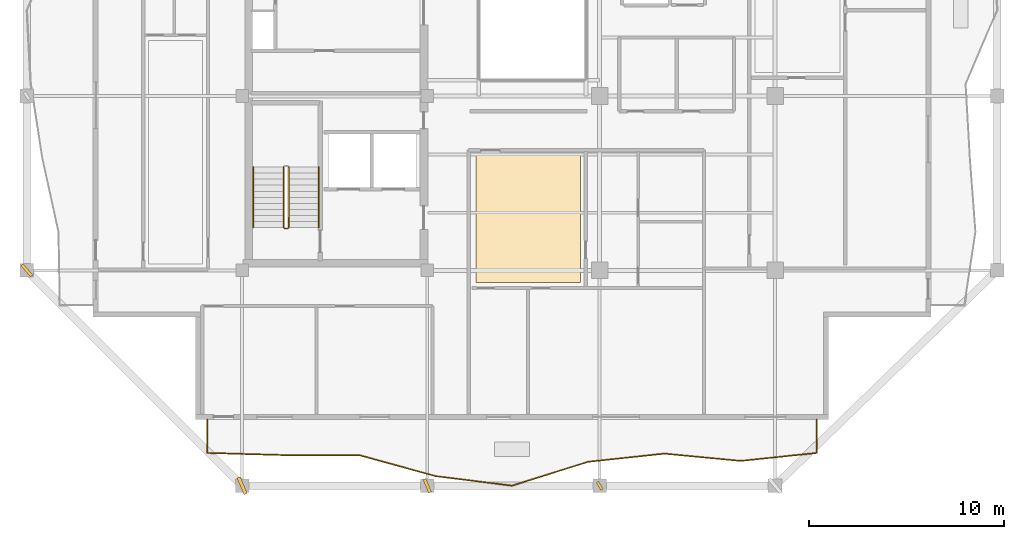
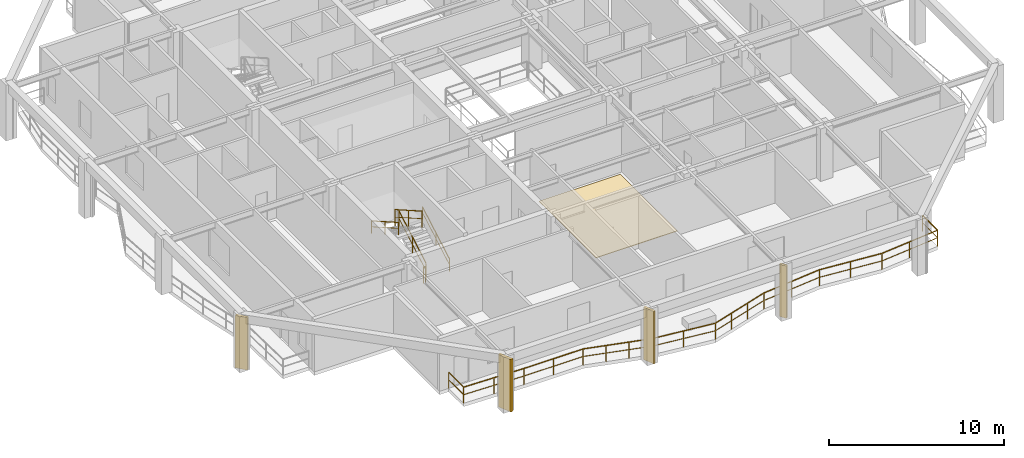
# One storey, part 7 of 11: 6 railings, 4 shading devices, 1 covering.
"""IFC4 building model written with IfcOpenShell, lengths in metres."""

import ifcopenshell
import ifcopenshell.guid

model = None  # the IFC model being written
_history = None  # IfcOwnerHistory: only IFC2X3 demands one
_inside = {}  # id of a spatial element -> (the spatial element, [elements in it])
_under = {}  # id of a project, library or spatial element -> (it, [spatial elements below it])
_declared = {}  # id of a project -> (the project, [libraries it declares])
_typed = {}  # id of a type object -> (the type object, [elements of that type])
_made_of = {}  # id of a material, layer set ... -> (it, [elements and type objects made of it])


def new_model(schema):
    """Start an empty IFC model of exactly this schema.

    Asked for "IFC4X3", IfcOpenShell would pick the latest addendum, in which some entities
    have other attributes; the version numbers below select the first issue.
    IFC2X3 requires an IfcOwnerHistory on every rooted entity: one is made here for all.
    """
    global model, _history
    if schema == "IFC4X3":
        model = ifcopenshell.file(schema_version=(4, 3, 0, 0))
    else:
        model = ifcopenshell.file(schema=schema)
    _inside.clear()
    _under.clear()
    _declared.clear()
    _typed.clear()
    _made_of.clear()
    _history = None
    if model.schema == "IFC2X3":
        org = make("IfcOrganization", Name="unknown")
        user = make(
            "IfcPersonAndOrganization",
            ThePerson=make("IfcPerson", FamilyName="unknown"),
            TheOrganization=org,
        )
        app = make(
            "IfcApplication",
            ApplicationDeveloper=org,
            Version="unknown",
            ApplicationFullName="unknown",
            ApplicationIdentifier="unknown",
        )
        _history = make(
            "IfcOwnerHistory",
            OwningUser=user,
            OwningApplication=app,
            ChangeAction="ADDED",
            CreationDate=0,
        )
    return model


def make(cls, **values):
    """One entity of the class cls with the attributes given. An attribute that is None is left unset."""
    return model.create_entity(
        cls, **{name: value for name, value in values.items() if value is not None}
    )


def rooted(cls, **values):
    """An entity with a GlobalId (a new one), such as an element, a storey or a relation."""
    return make(cls, GlobalId=ifcopenshell.guid.new(), OwnerHistory=_history, **values)


def si_unit(unit_type, name, prefix=None):
    """IfcSIUnit, for example si_unit("LENGTHUNIT", "METRE", prefix="MILLI")."""
    return make("IfcSIUnit", UnitType=unit_type, Prefix=prefix, Name=name)


def assignment(units):
    """IfcUnitAssignment: the units of a project."""
    return None if units is None else make("IfcUnitAssignment", Units=units)


def point(xyz):
    """IfcCartesianPoint."""
    return None if xyz is None else make("IfcCartesianPoint", Coordinates=xyz)


def direction(xyz):
    """IfcDirection."""
    return None if xyz is None else make("IfcDirection", DirectionRatios=xyz)


def frame(location, z_axis=None, x_axis=None):
    """IfcAxis2Placement3D, a coordinate frame: its origin and axes. An axis left out is left unset."""
    return make(
        "IfcAxis2Placement3D",
        Location=point(location),
        Axis=direction(z_axis),
        RefDirection=direction(x_axis),
    )


def frame_2d(location, x_axis=None):
    """IfcAxis2Placement2D, a coordinate frame in the plane: its origin and x axis."""
    return make(
        "IfcAxis2Placement2D", Location=point(location), RefDirection=direction(x_axis)
    )


def origin():
    """The frame at (0, 0, 0) with its axes left unset."""
    return frame((0.0, 0.0, 0.0))


def origin_2d():
    """The frame at (0, 0) in the plane with its x axis left unset."""
    return frame_2d((0.0, 0.0))


def place(relative_to, where):
    """IfcLocalPlacement: puts the frame where relative to a parent placement (None: the world)."""
    return make(
        "IfcLocalPlacement", PlacementRelTo=relative_to, RelativePlacement=where
    )


def context(
    kind, dimensions, precision=None, world=None, true_north=None, identifier=None
):
    """IfcGeometricRepresentationContext, for example the 3D "Model" context."""
    return make(
        "IfcGeometricRepresentationContext",
        ContextIdentifier=identifier,
        ContextType=kind,
        CoordinateSpaceDimension=dimensions,
        Precision=precision,
        WorldCoordinateSystem=world,
        TrueNorth=true_north,
    )


def subcontext(parent, identifier, kind, view, scale=None):
    """IfcGeometricRepresentationSubContext, for example "Body" below "Model"."""
    return make(
        "IfcGeometricRepresentationSubContext",
        ContextIdentifier=identifier,
        ContextType=kind,
        ParentContext=parent,
        TargetScale=scale,
        TargetView=view,
    )


def project(units=None, contexts=None):
    """IfcProject with its units and contexts."""
    return rooted(
        "IfcProject",
        Name="project",
        RepresentationContexts=contexts,
        UnitsInContext=assignment(units),
    )


def spatial(cls, under=None, at=None, **own):
    """A site, building, storey or space (cls), placed at a placement, below another one or the project."""
    s = rooted(cls, ObjectPlacement=at, **own)
    if under is not None:
        _under.setdefault(under.id(), (under, []))[1].append(s)
    return s


def polyline(points):
    """IfcPolyline through the points."""
    return make("IfcPolyline", Points=[point(p) for p in points])


def profile(cls, at=None, kind="AREA", **sizes):
    """A parametric profile (cls). Its sizes go by their IFC names, for example OverallWidth=200.0."""
    return make(cls, ProfileType=kind, Position=at, **sizes)


def rectangle(**sizes):
    """IfcRectangleProfileDef."""
    return profile("IfcRectangleProfileDef", **sizes)


def outline(outer, holes=None, kind="AREA"):
    """IfcArbitraryClosedProfileDef: a profile drawn as a closed curve; with holes, ...WithVoids."""
    if holes is None:
        return make("IfcArbitraryClosedProfileDef", ProfileType=kind, OuterCurve=outer)
    return make(
        "IfcArbitraryProfileDefWithVoids",
        ProfileType=kind,
        OuterCurve=outer,
        InnerCurves=holes,
    )


def extrude(swept, where, along, depth):
    """IfcExtrudedAreaSolid: the profile swept, set in the frame where, extruded along a direction by depth."""
    return make(
        "IfcExtrudedAreaSolid",
        SweptArea=swept,
        Position=where,
        ExtrudedDirection=direction(along),
        Depth=depth,
    )


def shape(context_of_items, identifier, shape_type, items):
    """IfcShapeRepresentation: the items that make up one representation, for example the "Body"."""
    return make(
        "IfcShapeRepresentation",
        ContextOfItems=context_of_items,
        RepresentationIdentifier=identifier,
        RepresentationType=shape_type,
        Items=items,
    )


def material(Name=None, Category=None):
    """IfcMaterial."""
    return make("IfcMaterial", Name=Name, Category=Category)


def layer(
    of_material, thickness, ventilated=None, Name=None, Category=None, Priority=None
):
    """IfcMaterialLayer: one layer of a wall or slab, of a material (None: an air gap)."""
    return make(
        "IfcMaterialLayer",
        Material=of_material,
        LayerThickness=thickness,
        IsVentilated=ventilated,
        Name=Name,
        Category=Category,
        Priority=Priority,
    )


def layer_set(layers, Name=None):
    """IfcMaterialLayerSet."""
    return make("IfcMaterialLayerSet", MaterialLayers=layers, LayerSetName=Name)


def made_of(thing, what):
    """Note that an element or type object is made of a material, layer set ...; save() writes the relation."""
    if what is not None:
        _made_of.setdefault(what.id(), (what, []))[1].append(thing)
    return thing


def type_object(cls, material=None, **own):
    """A type object (cls), such as IfcWallType, which elements share."""
    return made_of(rooted(cls, **own), material)


def element(
    cls,
    number,
    at=None,
    inside=None,
    cuts=None,
    type_object=None,
    material=None,
    context=None,
    identifier="Body",
    shape_type=None,
    held_by="IfcProductDefinitionShape",
    body=None,
    shapes=None,
    **own,
):
    """One element of the class cls, such as IfcWall. Its Tag is "e" and its number.

    at: its placement. inside: the storey or other place that contains it. cuts: it is an
    opening in that element (IfcRelVoidsElement). A single representation is given by context,
    identifier, shape_type and body (its items); several are given by shapes. held_by: the class
    of the entity that holds the representations. save() writes the other relations.
    """
    e = rooted(cls, Tag="e%d" % number, ObjectPlacement=at, **own)
    if body is not None:
        shapes = [shape(context, identifier, shape_type, body)]
    if shapes is not None:
        e.Representation = make(held_by, Representations=shapes)
    if inside is not None:
        _inside.setdefault(inside.id(), (inside, []))[1].append(e)
    if cuts is not None:
        rooted(
            "IfcRelVoidsElement", RelatingBuildingElement=cuts, RelatedOpeningElement=e
        )
    if type_object is not None:
        _typed.setdefault(type_object.id(), (type_object, []))[1].append(e)
    return made_of(e, material)


def aggregate(whole, parts):
    """IfcRelAggregates: a whole, such as a stair, and the parts it consists of."""
    return rooted("IfcRelAggregates", RelatingObject=whole, RelatedObjects=parts)


def save(model, path):
    """Write the relations noted so far, then the file.

    IfcRelAggregates (storeys below a building ...), IfcRelContainedInSpatialStructure (elements
    in a storey), IfcRelDefinesByType, IfcRelAssociatesMaterial and IfcRelDeclares: one each for
    every whole, place, type object, material and project.
    """
    for whole, parts in _under.values():
        aggregate(whole, parts)
    for where, things in _inside.values():
        rooted(
            "IfcRelContainedInSpatialStructure",
            RelatedElements=things,
            RelatingStructure=where,
        )
    for kind, things in _typed.values():
        rooted("IfcRelDefinesByType", RelatedObjects=things, RelatingType=kind)
    for what, things in _made_of.values():
        rooted("IfcRelAssociatesMaterial", RelatedObjects=things, RelatingMaterial=what)
    for by, libraries in _declared.values():
        rooted("IfcRelDeclares", RelatingContext=by, RelatedDefinitions=libraries)
    model.write(path)


model = new_model("IFC4")

# Units and contexts
model_context = context("Model", 3, precision=1e-05, world=origin(), true_north=direction((0.0, 1.0)))
body_context = subcontext(model_context, "Body", "Model", "MODEL_VIEW")
ifc_project = project(units=[si_unit("LENGTHUNIT", "METRE"), si_unit("AREAUNIT", "SQUARE_METRE"), si_unit("VOLUMEUNIT", "CUBIC_METRE"), si_unit("PLANEANGLEUNIT", "RADIAN"), si_unit("MASSUNIT", "GRAM", prefix="KILO")], contexts=[model_context])

# Site, building, storey
site_placement = place(None, origin())
site = spatial("IfcSite", under=ifc_project, at=site_placement, CompositionType="ELEMENT")
building_placement = place(site_placement, origin())
building = spatial("IfcBuilding", under=site, at=building_placement, Name="Kundavana Baori Tower", CompositionType="ELEMENT")
storey_placement = place(building_placement, frame((0.0, 0.0, 257.0)))
storey = spatial("IfcBuildingStorey", under=building, at=storey_placement, Name="L63", CompositionType="ELEMENT", Elevation=257.0)

# Covering
ifc_material_1 = material(Name="Honed Kota Stone and Terrazzo Flooring", Category="masonry")
ifc_layer = layer(ifc_material_1, 0.0400390625, Name="COV-FLR-TERR-40")
ifc_layer_set = layer_set([ifc_layer], Name="Honed Kota Stone and Terrazzo Flooring")
covering_type = type_object("IfcCoveringType", Name="COV-FLR-TERR-40", PredefinedType="FLOORING", material=ifc_layer_set)
covering_placement = place(storey_placement, origin())
element("IfcCovering", 1, at=covering_placement, inside=storey, type_object=covering_type, Name="L63 Room Finished Stone Flooring 3", PredefinedType="FLOORING", context=body_context, shape_type="SweptSolid", body=[
    extrude(outline(polyline([(27.43994140625, 14.6201171875), (32.81005859375, 14.6201171875), (32.81005859375, 21.139892578125), (27.43994140625, 21.139892578125), (27.43994140625, 14.6201171875)])), origin(), (0.0, 0.0, 1.0), 0.0400390625),
])

# Railings
ifc_material_2 = material(Name="Architectural Patinated Bronze Metalwork")
railing_type_1 = type_object("IfcRailingType", Name="RL-BAL-1150", PredefinedType="BALUSTRADE", material=ifc_material_2)
railing_1_placement = place(storey_placement, frame((44.949951171875, 7.60009765625, 0.0)))
element("IfcRailing", 2, at=railing_1_placement, inside=storey, type_object=railing_type_1, Name="L63 Loggia Balcony Balustrade S", PredefinedType="BALUSTRADE", context=body_context, shape_type="SweptSolid", body=[
    extrude(rectangle(XDim=0.048095703125, YDim=0.048095703125, at=origin_2d()), frame((0.0, 0.0, 1.1259765625), z_axis=(0.0, -1.0, 0.0), x_axis=(1.0, 0.0, 0.0)), (0.0, 0.0, 1.0), 1.72021484375),
    extrude(rectangle(XDim=0.03125, YDim=0.03125, at=origin_2d()), frame((0.0, 0.0, 0.597900390625), z_axis=(0.0, -1.0, 0.0), x_axis=(1.0, 0.0, 0.0)), (0.0, 0.0, 1.0), 1.72021484375),
    extrude(rectangle(XDim=0.048095703125, YDim=0.048095703125, at=origin_2d()), frame((0.0, -1.72021484375, 1.1259765625), z_axis=(-0.994528895054, -0.104461844247, 0.0), x_axis=(0.104461844247, -0.994528895054, 0.0)), (0.0, 0.0, 1.0), 3.933349609375),
    extrude(rectangle(XDim=0.03125, YDim=0.03125, at=origin_2d()), frame((0.0, -1.72021484375, 0.597900390625), z_axis=(-0.994528895054, -0.104461844247, 0.0), x_axis=(0.104461844247, -0.994528895054, 0.0)), (0.0, 0.0, 1.0), 3.933349609375),
    extrude(rectangle(XDim=0.048095703125, YDim=0.048095703125, at=origin_2d()), frame((-3.911865234375, -2.131103515625, 1.1259765625), z_axis=(-0.995463034765, 0.095149074698, 0.0), x_axis=(-0.095149074698, -0.995463034765, 0.0)), (0.0, 0.0, 1.0), 3.930908203125),
    extrude(rectangle(XDim=0.03125, YDim=0.03125, at=origin_2d()), frame((-3.911865234375, -2.131103515625, 0.597900390625), z_axis=(-0.995463034765, 0.095149074698, 0.0), x_axis=(-0.095149074698, -0.995463034765, 0.0)), (0.0, 0.0, 1.0), 3.930908203125),
    extrude(rectangle(XDim=0.048095703125, YDim=0.048095703125, at=origin_2d()), frame((-7.824951171875, -1.757080078125, 1.1259765625), z_axis=(-0.994341035776, -0.106235138121, 0.0), x_axis=(0.106235138121, -0.994341035776, 0.0)), (0.0, 0.0, 1.0), 3.934326171875),
    extrude(rectangle(XDim=0.03125, YDim=0.03125, at=origin_2d()), frame((-7.824951171875, -1.757080078125, 0.597900390625), z_axis=(-0.994341035776, -0.106235138121, 0.0), x_axis=(0.106235138121, -0.994341035776, 0.0)), (0.0, 0.0, 1.0), 3.934326171875),
    extrude(rectangle(XDim=0.048095703125, YDim=0.048095703125, at=origin_2d()), frame((-11.737060546875, -2.175048828125, 1.1259765625), z_axis=(-0.954317732276, -0.298793684443, 0.0), x_axis=(0.298793684443, -0.954317732276, 0.0)), (0.0, 0.0, 1.0), 4.10009765625),
    extrude(rectangle(XDim=0.03125, YDim=0.03125, at=origin_2d()), frame((-11.737060546875, -2.175048828125, 0.597900390625), z_axis=(-0.954317732276, -0.298793684443, 0.0), x_axis=(0.298793684443, -0.954317732276, 0.0)), (0.0, 0.0, 1.0), 4.10009765625),
    extrude(rectangle(XDim=0.048095703125, YDim=0.048095703125, at=origin_2d()), frame((-15.64990234375, -3.400146484375, 1.1259765625), z_axis=(-0.992399355567, 0.12305900646, 0.0), x_axis=(-0.12305900646, -0.992399355567, 0.0)), (0.0, 0.0, 1.0), 3.942138671875),
    extrude(rectangle(XDim=0.03125, YDim=0.03125, at=origin_2d()), frame((-15.64990234375, -3.400146484375, 0.597900390625), z_axis=(-0.992399355567, 0.12305900646, 0.0), x_axis=(-0.12305900646, -0.992399355567, 0.0)), (0.0, 0.0, 1.0), 3.942138671875),
    extrude(rectangle(XDim=0.048095703125, YDim=0.048095703125, at=origin_2d()), frame((-19.56201171875, -2.9150390625, 1.1259765625), z_axis=(-0.964150387558, 0.26535642101, 0.0), x_axis=(-0.26535642101, -0.964150387558, 0.0)), (0.0, 0.0, 1.0), 4.058349609375),
    extrude(rectangle(XDim=0.03125, YDim=0.03125, at=origin_2d()), frame((-19.56201171875, -2.9150390625, 0.597900390625), z_axis=(-0.964150387558, 0.26535642101, 0.0), x_axis=(-0.26535642101, -0.964150387558, 0.0)), (0.0, 0.0, 1.0), 4.058349609375),
    extrude(rectangle(XDim=0.048095703125, YDim=0.048095703125, at=origin_2d()), frame((-23.474853515625, -1.838134765625, 1.1259765625), z_axis=(-0.99999836316, 0.001809330704, 0.0), x_axis=(-0.001809330704, -0.99999836316, 0.0)), (0.0, 0.0, 1.0), 3.9130859375),
    extrude(rectangle(XDim=0.03125, YDim=0.03125, at=origin_2d()), frame((-23.474853515625, -1.838134765625, 0.597900390625), z_axis=(-0.99999836316, 0.001809330704, 0.0), x_axis=(-0.001809330704, -0.99999836316, 0.0)), (0.0, 0.0, 1.0), 3.9130859375),
    extrude(rectangle(XDim=0.048095703125, YDim=0.048095703125, at=origin_2d()), frame((-27.387939453125, -1.8310546875, 1.1259765625), z_axis=(-0.999598876166, 0.028321136407, 0.0), x_axis=(-0.028321136407, -0.999598876166, 0.0)), (0.0, 0.0, 1.0), 3.91357421875),
    extrude(rectangle(XDim=0.03125, YDim=0.03125, at=origin_2d()), frame((-27.387939453125, -1.8310546875, 0.597900390625), z_axis=(-0.999598876166, 0.028321136407, 0.0), x_axis=(-0.028321136407, -0.999598876166, 0.0)), (0.0, 0.0, 1.0), 3.91357421875),
    extrude(rectangle(XDim=0.048095703125, YDim=0.048095703125, at=origin_2d()), frame((-31.300048828125, -1.72021484375, 1.1259765625), z_axis=(0.0, 1.0, 0.0), x_axis=(-1.0, 0.0, 0.0)), (0.0, 0.0, 1.0), 1.72021484375),
    extrude(rectangle(XDim=0.03125, YDim=0.03125, at=origin_2d()), frame((-31.300048828125, -1.72021484375, 0.597900390625), z_axis=(0.0, 1.0, 0.0), x_axis=(-1.0, 0.0, 0.0)), (0.0, 0.0, 1.0), 1.72021484375),
    extrude(rectangle(XDim=0.0419921875, YDim=0.0419921875, at=origin_2d()), origin(), (0.0, 0.0, 1.0), 1.101806640625),
    extrude(rectangle(XDim=0.0419921875, YDim=0.0419921875, at=origin_2d()), frame((0.0, -1.72021484375, 0.0)), (0.0, 0.0, 1.0), 1.101806640625),
    extrude(rectangle(XDim=0.0419921875, YDim=0.0419921875, at=origin_2d()), frame((-1.9560546875, -1.92578125, 0.0)), (0.0, 0.0, 1.0), 1.101806640625),
    extrude(rectangle(XDim=0.0419921875, YDim=0.0419921875, at=origin_2d()), frame((-3.911865234375, -2.131103515625, 0.0)), (0.0, 0.0, 1.0), 1.101806640625),
    extrude(rectangle(XDim=0.0419921875, YDim=0.0419921875, at=origin_2d()), frame((-5.868408203125, -1.944091796875, 0.0)), (0.0, 0.0, 1.0), 1.101806640625),
    extrude(rectangle(XDim=0.0419921875, YDim=0.0419921875, at=origin_2d()), frame((-7.824951171875, -1.757080078125, 0.0)), (0.0, 0.0, 1.0), 1.101806640625),
    extrude(rectangle(XDim=0.0419921875, YDim=0.0419921875, at=origin_2d()), frame((-9.781005859375, -1.966064453125, 0.0)), (0.0, 0.0, 1.0), 1.101806640625),
    extrude(rectangle(XDim=0.0419921875, YDim=0.0419921875, at=origin_2d()), frame((-11.737060546875, -2.175048828125, 0.0)), (0.0, 0.0, 1.0), 1.101806640625),
    extrude(rectangle(XDim=0.0419921875, YDim=0.0419921875, at=origin_2d()), frame((-13.041259765625, -2.58349609375, 0.0)), (0.0, 0.0, 1.0), 1.101806640625),
    extrude(rectangle(XDim=0.0419921875, YDim=0.0419921875, at=origin_2d()), frame((-14.345703125, -2.99169921875, 0.0)), (0.0, 0.0, 1.0), 1.101806640625),
    extrude(rectangle(XDim=0.0419921875, YDim=0.0419921875, at=origin_2d()), frame((-15.64990234375, -3.400146484375, 0.0)), (0.0, 0.0, 1.0), 1.101806640625),
    extrude(rectangle(XDim=0.0419921875, YDim=0.0419921875, at=origin_2d()), frame((-17.60595703125, -3.15771484375, 0.0)), (0.0, 0.0, 1.0), 1.101806640625),
    extrude(rectangle(XDim=0.0419921875, YDim=0.0419921875, at=origin_2d()), frame((-19.56201171875, -2.9150390625, 0.0)), (0.0, 0.0, 1.0), 1.101806640625),
    extrude(rectangle(XDim=0.0419921875, YDim=0.0419921875, at=origin_2d()), frame((-20.8662109375, -2.55615234375, 0.0)), (0.0, 0.0, 1.0), 1.101806640625),
    extrude(rectangle(XDim=0.0419921875, YDim=0.0419921875, at=origin_2d()), frame((-22.170654296875, -2.197021484375, 0.0)), (0.0, 0.0, 1.0), 1.101806640625),
    extrude(rectangle(XDim=0.0419921875, YDim=0.0419921875, at=origin_2d()), frame((-23.474853515625, -1.838134765625, 0.0)), (0.0, 0.0, 1.0), 1.101806640625),
    extrude(rectangle(XDim=0.0419921875, YDim=0.0419921875, at=origin_2d()), frame((-25.431396484375, -1.83447265625, 0.0)), (0.0, 0.0, 1.0), 1.101806640625),
    extrude(rectangle(XDim=0.0419921875, YDim=0.0419921875, at=origin_2d()), frame((-27.387939453125, -1.8310546875, 0.0)), (0.0, 0.0, 1.0), 1.101806640625),
    extrude(rectangle(XDim=0.0419921875, YDim=0.0419921875, at=origin_2d()), frame((-29.343994140625, -1.775634765625, 0.0)), (0.0, 0.0, 1.0), 1.101806640625),
    extrude(rectangle(XDim=0.0419921875, YDim=0.0419921875, at=origin_2d()), frame((-31.300048828125, -1.72021484375, 0.0)), (0.0, 0.0, 1.0), 1.101806640625),
    extrude(rectangle(XDim=0.0419921875, YDim=0.0419921875, at=origin_2d()), frame((-31.300048828125, 0.0, 0.0)), (0.0, 0.0, 1.0), 1.101806640625),
])
ifc_material_3 = material(Name="Architectural Patinated Bronze Metalwork")
railing_type_2 = type_object("IfcRailingType", Name="RL-GRD-1150", PredefinedType="GUARDRAIL", material=ifc_material_3)
railing_2_placement = place(storey_placement, frame((17.840087890625, 17.449951171875, 0.17724609375)))
element("IfcRailing", 3, at=railing_2_placement, inside=storey, type_object=railing_type_2, Name="L63 ST1 stair guard 1", PredefinedType="GUARDRAIL", context=body_context, shape_type="SweptSolid", body=[
    extrude(rectangle(XDim=0.048095703125, YDim=0.048095703125, at=origin_2d()), frame((0.0, 0.0, 1.1259765625), z_axis=(0.0, 0.868095856688, 0.496396599103), x_axis=(-1.0, 0.0, 0.0)), (0.0, 0.0, 1.0), 3.571044921875),
    extrude(rectangle(XDim=0.03125, YDim=0.03125, at=origin_2d()), frame((0.0, 0.0, 0.597900390625), z_axis=(0.0, 0.868095856688, 0.496396599103), x_axis=(-1.0, 0.0, 0.0)), (0.0, 0.0, 1.0), 3.571044921875),
    extrude(rectangle(XDim=0.0419921875, YDim=0.0419921875, at=origin_2d()), origin(), (0.0, 0.0, 1.0), 1.101806640625),
    extrude(rectangle(XDim=0.0419921875, YDim=0.0419921875, at=origin_2d()), frame((0.0, 1.550048828125, 0.88623046875)), (0.0, 0.0, 1.0), 1.101806640625),
    extrude(rectangle(XDim=0.0419921875, YDim=0.0419921875, at=origin_2d()), frame((0.0, 3.10009765625, 1.772705078125)), (0.0, 0.0, 1.0), 1.101806640625),
])
railing_3_placement = place(storey_placement, frame((17.580078125, 20.550048828125, 2.127197265625)))
element("IfcRailing", 4, at=railing_3_placement, inside=storey, type_object=railing_type_2, Name="L63 ST1 stair guard 3", PredefinedType="GUARDRAIL", context=body_context, shape_type="SweptSolid", body=[
    extrude(rectangle(XDim=0.048095703125, YDim=0.048095703125, at=origin_2d()), frame((0.0, 0.0, 1.1259765625), z_axis=(0.0, -0.868095856688, 0.496396599103), x_axis=(1.0, 0.0, 0.0)), (0.0, 0.0, 1.0), 3.571044921875),
    extrude(rectangle(XDim=0.03125, YDim=0.03125, at=origin_2d()), frame((0.0, 0.0, 0.597900390625), z_axis=(0.0, -0.868095856688, 0.496396599103), x_axis=(1.0, 0.0, 0.0)), (0.0, 0.0, 1.0), 3.571044921875),
    extrude(rectangle(XDim=0.0419921875, YDim=0.0419921875, at=origin_2d()), origin(), (0.0, 0.0, 1.0), 1.101806640625),
    extrude(rectangle(XDim=0.0419921875, YDim=0.0419921875, at=origin_2d()), frame((0.0, -1.550048828125, 0.88623046875)), (0.0, 0.0, 1.0), 1.101806640625),
    extrude(rectangle(XDim=0.0419921875, YDim=0.0419921875, at=origin_2d()), frame((0.0, -3.10009765625, 1.772705078125)), (0.0, 0.0, 1.0), 1.101806640625),
])
railing_4_placement = place(storey_placement, frame((17.7900390625, 17.39990234375, 0.0)))
element("IfcRailing", 5, at=railing_4_placement, inside=storey, type_object=railing_type_2, Name="L63 ST1 stair guard 4", PredefinedType="GUARDRAIL", context=body_context, shape_type="SweptSolid", body=[
    extrude(rectangle(XDim=0.048095703125, YDim=0.048095703125, at=origin_2d()), frame((0.0, 0.0, 1.1259765625), z_axis=(-1.0, 0.0, 0.0), x_axis=(0.0, -1.0, 0.0)), (0.0, 0.0, 1.0), 0.16015625),
    extrude(rectangle(XDim=0.03125, YDim=0.03125, at=origin_2d()), frame((0.0, 0.0, 0.597900390625), z_axis=(-1.0, 0.0, 0.0), x_axis=(0.0, -1.0, 0.0)), (0.0, 0.0, 1.0), 0.16015625),
    extrude(rectangle(XDim=0.0419921875, YDim=0.0419921875, at=origin_2d()), origin(), (0.0, 0.0, 1.0), 1.101806640625),
    extrude(rectangle(XDim=0.0419921875, YDim=0.0419921875, at=origin_2d()), frame((-0.16015625, 0.0, 0.0)), (0.0, 0.0, 1.0), 1.101806640625),
])
ifc_material_4 = material(Name="Architectural Patinated Bronze Metalwork")
railing_type_3 = type_object("IfcRailingType", Name="RL-HND-920", PredefinedType="HANDRAIL", material=ifc_material_4)
railing_5_placement = place(storey_placement, frame((19.389892578125, 17.449951171875, 0.17724609375)))
element("IfcRailing", 6, at=railing_5_placement, inside=storey, type_object=railing_type_3, Name="L63 ST1 stair handrail 1", PredefinedType="HANDRAIL", context=body_context, shape_type="SweptSolid", body=[
    extrude(rectangle(XDim=0.048095703125, YDim=0.048095703125, at=origin_2d()), frame((0.0, 0.0, 0.8759765625), z_axis=(0.0, 0.868095856688, 0.496396599103), x_axis=(-1.0, 0.0, 0.0)), (0.0, 0.0, 1.0), 3.571044921875),
    extrude(rectangle(XDim=0.03125, YDim=0.03125, at=origin_2d()), frame((0.0, 0.0, 0.468017578125), z_axis=(0.0, 0.868095856688, 0.496396599103), x_axis=(-1.0, 0.0, 0.0)), (0.0, 0.0, 1.0), 3.571044921875),
    extrude(rectangle(XDim=0.0419921875, YDim=0.0419921875, at=origin_2d()), origin(), (0.0, 0.0, 1.0), 0.851806640625),
    extrude(rectangle(XDim=0.0419921875, YDim=0.0419921875, at=origin_2d()), frame((0.0, 1.550048828125, 0.88623046875)), (0.0, 0.0, 1.0), 0.851806640625),
    extrude(rectangle(XDim=0.0419921875, YDim=0.0419921875, at=origin_2d()), frame((0.0, 3.10009765625, 1.772705078125)), (0.0, 0.0, 1.0), 0.851806640625),
])
railing_6_placement = place(storey_placement, frame((16.030029296875, 20.550048828125, 2.127197265625)))
element("IfcRailing", 7, at=railing_6_placement, inside=storey, type_object=railing_type_3, Name="L63 ST1 stair handrail 2", PredefinedType="HANDRAIL", context=body_context, shape_type="SweptSolid", body=[
    extrude(rectangle(XDim=0.048095703125, YDim=0.048095703125, at=origin_2d()), frame((0.0, 0.0, 0.8759765625), z_axis=(0.0, -0.868095856688, 0.496396599103), x_axis=(1.0, 0.0, 0.0)), (0.0, 0.0, 1.0), 3.571044921875),
    extrude(rectangle(XDim=0.03125, YDim=0.03125, at=origin_2d()), frame((0.0, 0.0, 0.468017578125), z_axis=(0.0, -0.868095856688, 0.496396599103), x_axis=(1.0, 0.0, 0.0)), (0.0, 0.0, 1.0), 3.571044921875),
    extrude(rectangle(XDim=0.0419921875, YDim=0.0419921875, at=origin_2d()), origin(), (0.0, 0.0, 1.0), 0.851806640625),
    extrude(rectangle(XDim=0.0419921875, YDim=0.0419921875, at=origin_2d()), frame((0.0, -1.550048828125, 0.88623046875)), (0.0, 0.0, 1.0), 0.851806640625),
    extrude(rectangle(XDim=0.0419921875, YDim=0.0419921875, at=origin_2d()), frame((0.0, -3.10009765625, 1.772705078125)), (0.0, 0.0, 1.0), 0.851806640625),
])

# Shading devices
ifc_material_5 = material(Name="Red-Buff Dholpur Sandstone Cladding on Concrete C40/50", Category="masonry")
shading_device_type_1 = type_object("IfcShadingDeviceType", Name="SHD-FIN-750", PredefinedType="JALOUSIE", material=ifc_material_5)
for number, where, z_axis, x_axis, name in (
    (8, (24.949951171875, 4.199951171875, 0.0), (0.0, 0.0, 1.0), (0.919341480754, 0.393460597474, 0.0), "L63 Sweeping Dholpur Sandstone Facade Fin 2"),
    (9, (4.39990234375, 15.25, 0.0), (0.0, 0.0, 1.0), (0.749995637512, 0.66144277433, 0.0), "L63 Sweeping Dholpur Sandstone Facade Fin 5"),
):
    element("IfcShadingDevice", number, at=place(storey_placement, frame(where, z_axis=z_axis, x_axis=x_axis)), inside=storey, type_object=shading_device_type_1, Name=name, PredefinedType="JALOUSIE", context=body_context, shape_type="SweptSolid", body=[
        extrude(rectangle(XDim=0.159912109375, YDim=0.75, at=origin_2d()), origin(), (0.0, 0.0, 1.0), 3.659912109375),
    ])
ifc_material_6 = material(Name="Red-Buff Dholpur Sandstone Cladding on Concrete C40/50", Category="masonry")
shading_device_type_2 = type_object("IfcShadingDeviceType", Name="SHD-FIN-920", PredefinedType="JALOUSIE", material=ifc_material_6)
shading_device_1_placement = place(storey_placement, frame((15.449951171875, 4.199951171875, 0.0), z_axis=(0.0, 0.0, 1.0), x_axis=(0.918584396813, 0.395224880204, 0.0)))
element("IfcShadingDevice", 10, at=shading_device_1_placement, inside=storey, type_object=shading_device_type_2, Name="L63 Sweeping Dholpur Sandstone Facade Fin 1", PredefinedType="JALOUSIE", context=body_context, shape_type="SweptSolid", body=[
    extrude(rectangle(XDim=0.179931640625, YDim=0.919921875, at=origin_2d()), origin(), (0.0, 0.0, 1.0), 3.659912109375),
])
ifc_material_7 = material(Name="Architectural Patinated Bronze Metalwork")
shading_device_type_3 = type_object("IfcShadingDeviceType", Name="SHD-LOUV-450", PredefinedType="SHUTTER", material=ifc_material_7)
shading_device_2_placement = place(storey_placement, frame((33.800048828125, 4.199951171875, 0.0), z_axis=(0.0, 0.0, 1.0), x_axis=(0.855635381204, 0.517579070704, 0.0)))
element("IfcShadingDevice", 11, at=shading_device_2_placement, inside=storey, type_object=shading_device_type_3, Name="L63 Sweeping Dholpur Sandstone Facade Fin 3", PredefinedType="SHUTTER", context=body_context, shape_type="SweptSolid", body=[
    extrude(rectangle(XDim=0.139892578125, YDim=0.449951171875, at=origin_2d()), origin(), (0.0, 0.0, 1.0), 3.659912109375),
])

save(model, "model.ifc")
